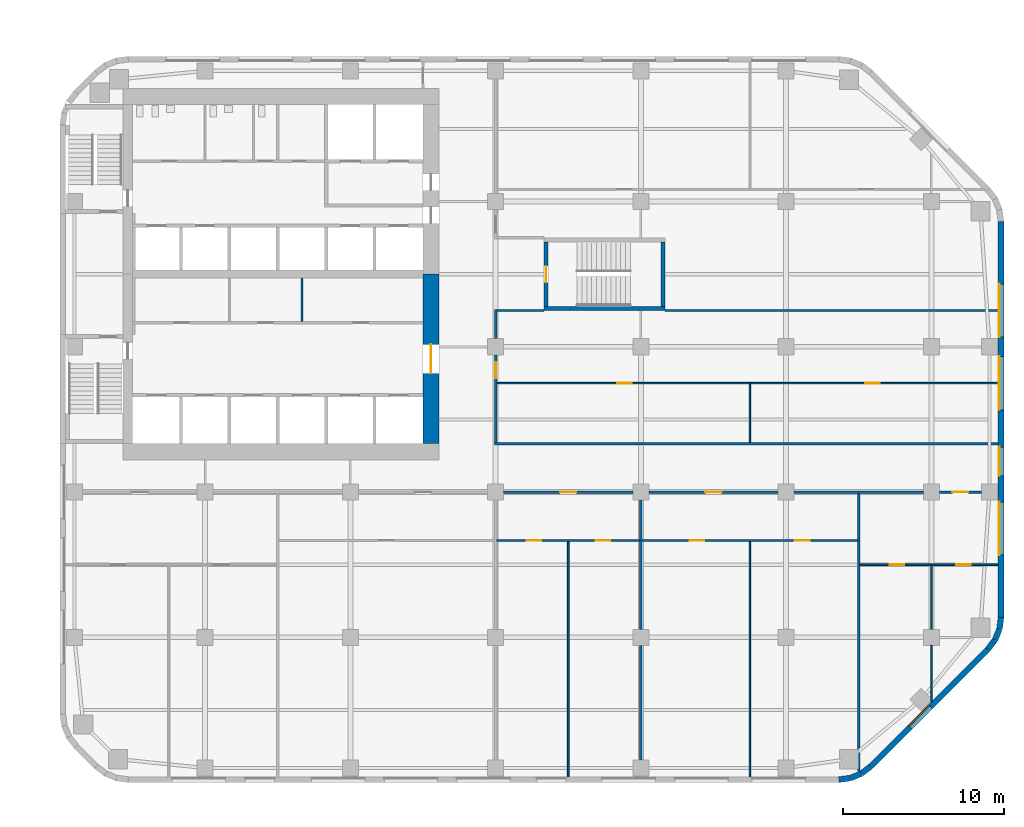
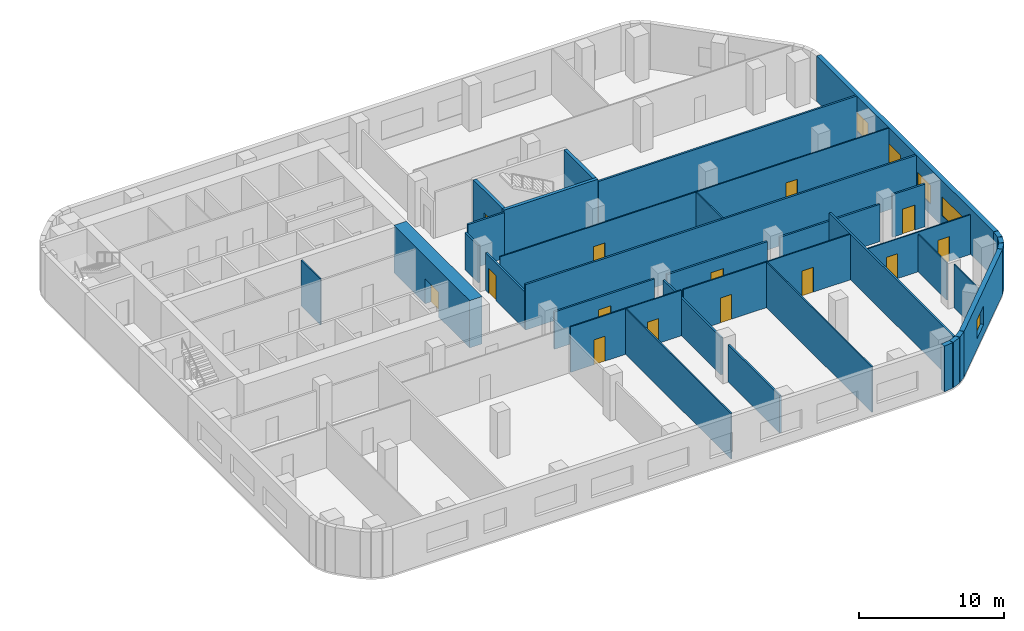
# One storey, part 10 of 16: 34 walls, 14 doors, 5 windows, 19 openings.
"""IFC4 building model written with IfcOpenShell, lengths in metres."""

from ifc_helpers import new_model, si_unit, direction, frame, frame_2d, origin, place, context, subcontext, project, spatial, rectangle, extrude, material, layer, layer_set, type_object, element, fill, save


model = new_model("IFC4")

# Units and contexts
model_context = context("Model", 3, precision=1e-05, world=origin(), true_north=direction((0.0, 1.0)))
body_context = subcontext(model_context, "Body", "Model", "MODEL_VIEW")
ifc_project = project(units=[si_unit("LENGTHUNIT", "METRE"), si_unit("AREAUNIT", "SQUARE_METRE"), si_unit("VOLUMEUNIT", "CUBIC_METRE"), si_unit("PLANEANGLEUNIT", "RADIAN"), si_unit("MASSUNIT", "GRAM", prefix="KILO")], contexts=[model_context])

# Site, building, storey
site_placement = place(None, origin())
site = spatial("IfcSite", under=ifc_project, at=site_placement, CompositionType="ELEMENT")
building_placement = place(site_placement, origin())
building = spatial("IfcBuilding", under=site, at=building_placement, Name="Cinnabar Reach Civic Tower", CompositionType="ELEMENT")
storey_placement = place(building_placement, frame((0.0, 0.0, 55.0)))
storey = spatial("IfcBuildingStorey", under=building, at=storey_placement, Name="L12", CompositionType="ELEMENT", Elevation=55.0)

# Walls
ifc_material_1 = material(Name="Facing brick with insulated backing", Category="masonry")
ifc_layer_1 = layer(ifc_material_1, 0.36)
ifc_layer_set_1 = layer_set([ifc_layer_1], Name="Brick corner wall")
wall_type_1 = type_object("IfcWallType", Name="Brick corner wall", PredefinedType="STANDARD", material=ifc_layer_set_1)
for number, where, z_axis, x_axis, name in (
    (1, (48.2686, 0.183, 0.0), (0.0, 0.0, 1.0), (0.99144092581, 0.13055608231, 0.0), "Brick corner wall"),
    (2, (48.9973, 0.2819, 0.0), (0.0, 0.0, 1.0), (0.923871547278, 0.382702709855, 0.0), "Brick corner wall"),
):
    element("IfcWall", number, at=place(storey_placement, frame(where, z_axis=z_axis, x_axis=x_axis)), inside=storey, type_object=wall_type_1, Name=name, PredefinedType="STANDARD", context=body_context, shape_type="SweptSolid", body=[
        extrude(rectangle(XDim=0.7131, YDim=0.36, at=frame_2d((0.3565, 0.0))), origin(), (0.0, 0.0, 1.0), 3.85),
    ])
for number, where, z_axis, x_axis, name in (
    (3, (49.6755, 0.566, 0.0), (0.0, 0.0, 1.0), (0.793321924995, 0.608802368033, 0.0), "Brick corner wall"),
    (4, (57.4998, 8.2587, 0.0), (0.0, 0.0, 1.0), (0.608802368033, 0.793321924995, 0.0), "Brick corner wall"),
):
    element("IfcWall", number, at=place(storey_placement, frame(where, z_axis=z_axis, x_axis=x_axis)), inside=storey, type_object=wall_type_1, Name=name, PredefinedType="STANDARD", context=body_context, shape_type="SweptSolid", body=[
        extrude(rectangle(XDim=0.7132, YDim=0.36, at=frame_2d((0.3566, 0.0))), origin(), (0.0, 0.0, 1.0), 3.85),
    ])
for number, where, z_axis, x_axis, name in (
    (5, (57.9452, 8.8439, 0.0), (0.0, 0.0, 1.0), (0.382702709855, 0.923871547278, 0.0), "Brick corner wall"),
    (6, (58.2239, 9.5244, 0.0), (0.0, 0.0, 1.0), (0.13055608231, 0.99144092581, 0.0), "Brick corner wall"),
):
    element("IfcWall", number, at=place(storey_placement, frame(where, z_axis=z_axis, x_axis=x_axis)), inside=storey, type_object=wall_type_1, Name=name, PredefinedType="STANDARD", context=body_context, shape_type="SweptSolid", body=[
        extrude(rectangle(XDim=0.7131, YDim=0.36, at=frame_2d((0.3565, 0.0))), origin(), (0.0, 0.0, 1.0), 3.85),
    ])

# Wall, opening, window
ifc_layer_2 = layer(ifc_material_1, 0.36)
ifc_layer_set_2 = layer_set([ifc_layer_2], Name="Brick pier and spandrel wall")
wall_type_2 = type_object("IfcWallType", Name="Brick pier and spandrel wall", PredefinedType="STANDARD", material=ifc_layer_set_2)
wall_1_placement = place(storey_placement, frame((50.2514, 1.006, 0.0), z_axis=(0.0, 0.0, 1.0), x_axis=(0.707106781187, 0.707106781187, 0.0)))
wall_1 = element("IfcWall", 7, at=wall_1_placement, inside=storey, type_object=wall_type_2, Name="Brick facade wall", PredefinedType="STANDARD", context=body_context, shape_type="SweptSolid", body=[
    extrude(rectangle(XDim=10.2426, YDim=0.36, at=frame_2d((5.1213, 0.0))), origin(), (0.0, 0.0, 1.0), 3.85),
])
opening_1_placement = place(wall_1_placement, frame((3.4213, 0.0, 0.9)))
opening_1 = element("IfcOpeningElement", 8, at=opening_1_placement, cuts=wall_1, Name="Opening W1195", PredefinedType="OPENING", context=body_context, shape_type="SweptSolid", body=[
    extrude(rectangle(XDim=1.8, YDim=1.6, at=frame_2d((0.9, 0.8))), frame((0.0, 0.19, 0.0), z_axis=(0.0, -1.0, 0.0), x_axis=(1.0, 0.0, 0.0)), (0.0, 0.0, 1.0), 0.38),
])
ifc_material_2 = material(Name="Clear double glazing in aluminium frame", Category="aluminium")
window_type_1 = type_object("IfcWindowType", Name="Deep-set window D", PartitioningType="SINGLE_PANEL", PredefinedType="WINDOW", material=ifc_material_2)
window_1_placement = place(opening_1_placement, origin())
window_1 = element("IfcWindow", 9, at=window_1_placement, inside=storey, type_object=window_type_1, Name="Window southeast face", OverallHeight=1.6, OverallWidth=1.8, PartitioningType="SINGLE_PANEL", PredefinedType="WINDOW", context=body_context, shape_type="SweptSolid", body=[
    extrude(rectangle(XDim=1.8, YDim=1.6, at=frame_2d((0.9, 0.8))), frame((0.0, 0.13, 0.0), z_axis=(0.0, -1.0, 0.0), x_axis=(1.0, 0.0, 0.0)), (0.0, 0.0, 1.0), 0.06),
])
fill(opening_1, window_1)

# Wall, openings, windows
wall_2_placement = place(storey_placement, frame((58.32, 10.2426, 0.0), z_axis=(0.0, 0.0, 1.0), x_axis=(0.0, 1.0, 0.0)))
wall_2 = element("IfcWall", 10, at=wall_2_placement, inside=storey, type_object=wall_type_2, Name="Brick facade wall", PredefinedType="STANDARD", context=body_context, shape_type="SweptSolid", body=[
    extrude(rectangle(XDim=24.5148, YDim=0.36, at=frame_2d((12.2574, 0.0))), origin(), (0.0, 0.0, 1.0), 3.85),
])
opening_2_placement = place(wall_2_placement, frame((3.8574, 0.0, 0.9)))
opening_2 = element("IfcOpeningElement", 11, at=opening_2_placement, cuts=wall_2, Name="Opening W1196", PredefinedType="OPENING", context=body_context, shape_type="SweptSolid", body=[
    extrude(rectangle(XDim=3.3, YDim=1.6, at=frame_2d((1.65, 0.8))), frame((0.0, 0.19, 0.0), z_axis=(0.0, -1.0, 0.0), x_axis=(1.0, 0.0, 0.0)), (0.0, 0.0, 1.0), 0.38),
])
opening_3_placement = place(wall_2_placement, frame((8.7574, 0.0, 0.9)))
opening_3 = element("IfcOpeningElement", 12, at=opening_3_placement, cuts=wall_2, Name="Opening W1197", PredefinedType="OPENING", context=body_context, shape_type="SweptSolid", body=[
    extrude(rectangle(XDim=1.8, YDim=1.6, at=frame_2d((0.9, 0.8))), frame((0.0, 0.19, 0.0), z_axis=(0.0, -1.0, 0.0), x_axis=(1.0, 0.0, 0.0)), (0.0, 0.0, 1.0), 0.38),
])
opening_4_placement = place(wall_2_placement, frame((12.8574, 0.0, 0.9)))
opening_4 = element("IfcOpeningElement", 13, at=opening_4_placement, cuts=wall_2, Name="Opening W1198", PredefinedType="OPENING", context=body_context, shape_type="SweptSolid", body=[
    extrude(rectangle(XDim=3.3, YDim=1.6, at=frame_2d((1.65, 0.8))), frame((0.0, 0.19, 0.0), z_axis=(0.0, -1.0, 0.0), x_axis=(1.0, 0.0, 0.0)), (0.0, 0.0, 1.0), 0.38),
])
opening_5_placement = place(wall_2_placement, frame((17.3574, 0.0, 0.9)))
opening_5 = element("IfcOpeningElement", 14, at=opening_5_placement, cuts=wall_2, Name="Opening W1199", PredefinedType="OPENING", context=body_context, shape_type="SweptSolid", body=[
    extrude(rectangle(XDim=3.3, YDim=1.6, at=frame_2d((1.65, 0.8))), frame((0.0, 0.19, 0.0), z_axis=(0.0, -1.0, 0.0), x_axis=(1.0, 0.0, 0.0)), (0.0, 0.0, 1.0), 0.38),
])
window_type_2 = type_object("IfcWindowType", Name="Deep-set window A", PartitioningType="SINGLE_PANEL", PredefinedType="WINDOW", material=ifc_material_2)
window_2_placement = place(opening_2_placement, origin())
window_2 = element("IfcWindow", 15, at=window_2_placement, inside=storey, type_object=window_type_2, Name="Window east face", OverallHeight=1.6, OverallWidth=3.3, PartitioningType="SINGLE_PANEL", PredefinedType="WINDOW", context=body_context, shape_type="SweptSolid", body=[
    extrude(rectangle(XDim=3.3, YDim=1.6, at=frame_2d((1.65, 0.8))), frame((0.0, 0.13, 0.0), z_axis=(0.0, -1.0, 0.0), x_axis=(1.0, 0.0, 0.0)), (0.0, 0.0, 1.0), 0.06),
])
fill(opening_2, window_2)
window_3_placement = place(opening_4_placement, origin())
window_3 = element("IfcWindow", 16, at=window_3_placement, inside=storey, type_object=window_type_2, Name="Window east face", OverallHeight=1.6, OverallWidth=3.3, PartitioningType="SINGLE_PANEL", PredefinedType="WINDOW", context=body_context, shape_type="SweptSolid", body=[
    extrude(rectangle(XDim=3.3, YDim=1.6, at=frame_2d((1.65, 0.8))), frame((0.0, 0.13, 0.0), z_axis=(0.0, -1.0, 0.0), x_axis=(1.0, 0.0, 0.0)), (0.0, 0.0, 1.0), 0.06),
])
fill(opening_4, window_3)
window_4_placement = place(opening_5_placement, origin())
window_4 = element("IfcWindow", 17, at=window_4_placement, inside=storey, type_object=window_type_2, Name="Window east face", OverallHeight=1.6, OverallWidth=3.3, PartitioningType="SINGLE_PANEL", PredefinedType="WINDOW", context=body_context, shape_type="SweptSolid", body=[
    extrude(rectangle(XDim=3.3, YDim=1.6, at=frame_2d((1.65, 0.8))), frame((0.0, 0.13, 0.0), z_axis=(0.0, -1.0, 0.0), x_axis=(1.0, 0.0, 0.0)), (0.0, 0.0, 1.0), 0.06),
])
fill(opening_5, window_4)
window_5_placement = place(opening_3_placement, origin())
window_5 = element("IfcWindow", 18, at=window_5_placement, inside=storey, type_object=window_type_1, Name="Window east face", OverallHeight=1.6, OverallWidth=1.8, PartitioningType="SINGLE_PANEL", PredefinedType="WINDOW", context=body_context, shape_type="SweptSolid", body=[
    extrude(rectangle(XDim=1.8, YDim=1.6, at=frame_2d((0.9, 0.8))), frame((0.0, 0.13, 0.0), z_axis=(0.0, -1.0, 0.0), x_axis=(1.0, 0.0, 0.0)), (0.0, 0.0, 1.0), 0.06),
])
fill(opening_3, window_5)

# Wall, opening, door
ifc_material_3 = material(Name="Concrete C70", Category="concrete")
ifc_layer_3 = layer(ifc_material_3, 1.0)
ifc_layer_set_3 = layer_set([ifc_layer_3], Name="Core wall 1000 EI 180")
wall_type_3 = type_object("IfcWallType", Name="Core wall 1000 EI 180", PredefinedType="SOLIDWALL", material=ifc_layer_set_3)
wall_3_placement = place(storey_placement, frame((23.0, 21.0, 0.0), z_axis=(0.0, 0.0, 1.0), x_axis=(0.0, 1.0, 0.0)))
wall_3 = element("IfcWall", 19, at=wall_3_placement, inside=storey, type_object=wall_type_3, Name="Core wall T1 L12 E", PredefinedType="SOLIDWALL", context=body_context, shape_type="SweptSolid", body=[
    extrude(rectangle(XDim=10.5, YDim=1.0, at=frame_2d((5.25, 0.0))), origin(), (0.0, 0.0, 1.0), 4.0),
])
opening_6_placement = place(wall_3_placement, frame((4.35, 0.0, 0.0)))
opening_6 = element("IfcOpeningElement", 20, at=opening_6_placement, cuts=wall_3, Name="Opening D3485", PredefinedType="OPENING", context=body_context, shape_type="SweptSolid", body=[
    extrude(rectangle(XDim=1.8, YDim=2.1, at=frame_2d((0.9, 1.05))), frame((0.0, 0.51, 0.0), z_axis=(0.0, -1.0, 0.0), x_axis=(1.0, 0.0, 0.0)), (0.0, 0.0, 1.0), 1.02),
])
ifc_material_4 = material(Name="Timber door leaf in steel frame", Category="steel")
door_type_1 = type_object("IfcDoorType", Name="Double swing door 1800 x 2100 T1", OperationType="DOUBLE_DOOR_DOUBLE_SWING", PredefinedType="DOOR", material=ifc_material_4)
door_1_placement = place(opening_6_placement, origin())
door_1 = element("IfcDoor", 21, at=door_1_placement, inside=storey, type_object=door_type_1, Name="Door D3485", OperationType="DOUBLE_DOOR_DOUBLE_SWING", OverallHeight=2.1, OverallWidth=1.8, PredefinedType="DOOR", context=body_context, shape_type="SweptSolid", body=[
    extrude(rectangle(XDim=1.8, YDim=2.1, at=frame_2d((0.9, 1.05))), frame((0.0, 0.025, 0.0), z_axis=(0.0, -1.0, 0.0), x_axis=(1.0, 0.0, 0.0)), (0.0, 0.0, 1.0), 0.05),
])
fill(opening_6, door_1)

ifc_material_5 = material(Name="Gypsum board on steel studs, double layer", Category="steel")
ifc_layer_4 = layer(ifc_material_5, 0.15)
ifc_layer_set_4 = layer_set([ifc_layer_4], Name="Corridor wall 150 T1")
wall_type_4 = type_object("IfcWallType", Name="Corridor wall 150 T1", PredefinedType="PARTITIONING", material=ifc_layer_set_4)
wall_4_placement = place(storey_placement, frame((54.5, 18.0, 0.0), z_axis=(0.0, 0.0, 1.0), x_axis=(1.0, 0.0, 0.0)))
wall_4 = element("IfcWall", 22, at=wall_4_placement, inside=storey, type_object=wall_type_4, Name="Corridor wall 19", PredefinedType="PARTITIONING", context=body_context, shape_type="SweptSolid", body=[
    extrude(rectangle(XDim=2.6, YDim=0.15, at=frame_2d((1.3, 0.0))), origin(), (0.0, 0.0, 1.0), 3.602),
])
opening_7_placement = place(wall_4_placement, frame((0.8, 0.0, 0.0)))
opening_7 = element("IfcOpeningElement", 23, at=opening_7_placement, cuts=wall_4, Name="Opening D3513", PredefinedType="OPENING", context=body_context, shape_type="SweptSolid", body=[
    extrude(rectangle(XDim=1.0, YDim=2.1, at=frame_2d((0.5, 1.05))), frame((0.0, 0.085, 0.0), z_axis=(0.0, -1.0, 0.0), x_axis=(1.0, 0.0, 0.0)), (0.0, 0.0, 1.0), 0.17),
])
door_type_2 = type_object("IfcDoorType", Name="Tenancy entrance door 1000 x 2100 T1", OperationType="SINGLE_SWING_LEFT", PredefinedType="DOOR", material=ifc_material_4)
door_2_placement = place(opening_7_placement, frame((1.0, 0.0, 0.0), z_axis=(0.0, 0.0, 1.0), x_axis=(-1.0, 0.0, 0.0)))
door_2 = element("IfcDoor", 24, at=door_2_placement, inside=storey, type_object=door_type_2, Name="Door D3513", OperationType="SINGLE_SWING_RIGHT", OverallHeight=2.1, OverallWidth=1.0, PredefinedType="DOOR", context=body_context, shape_type="SweptSolid", body=[
    extrude(rectangle(XDim=1.0, YDim=2.1, at=frame_2d((0.5, 1.05))), frame((0.0, 0.025, 0.0), z_axis=(0.0, -1.0, 0.0), x_axis=(1.0, 0.0, 0.0)), (0.0, 0.0, 1.0), 0.05),
])
fill(opening_7, door_2)

# Wall
wall_5_placement = place(storey_placement, frame((45.5, 18.0, 0.0), z_axis=(0.0, 0.0, 1.0), x_axis=(1.0, 0.0, 0.0)))
element("IfcWall", 25, at=wall_5_placement, inside=storey, type_object=wall_type_4, Name="Corridor wall 20", PredefinedType="PARTITIONING", context=body_context, shape_type="SweptSolid", body=[
    extrude(rectangle(XDim=8.0, YDim=0.15, at=frame_2d((4.0, 0.0))), origin(), (0.0, 0.0, 1.0), 3.15),
])

# Wall, opening, door
wall_6_placement = place(storey_placement, frame((36.5, 18.0, 0.0), z_axis=(0.0, 0.0, 1.0), x_axis=(1.0, 0.0, 0.0)))
wall_6 = element("IfcWall", 26, at=wall_6_placement, inside=storey, type_object=wall_type_4, Name="Corridor wall 21", PredefinedType="PARTITIONING", context=body_context, shape_type="SweptSolid", body=[
    extrude(rectangle(XDim=8.0, YDim=0.15, at=frame_2d((4.0, 0.0))), origin(), (0.0, 0.0, 1.0), 3.15),
])
opening_8_placement = place(wall_6_placement, frame((3.5, 0.0, 0.0)))
opening_8 = element("IfcOpeningElement", 27, at=opening_8_placement, cuts=wall_6, Name="Opening D3510", PredefinedType="OPENING", context=body_context, shape_type="SweptSolid", body=[
    extrude(rectangle(XDim=1.0, YDim=2.1, at=frame_2d((0.5, 1.05))), frame((0.0, 0.085, 0.0), z_axis=(0.0, -1.0, 0.0), x_axis=(1.0, 0.0, 0.0)), (0.0, 0.0, 1.0), 0.17),
])
door_3_placement = place(opening_8_placement, frame((1.0, 0.0, 0.0), z_axis=(0.0, 0.0, 1.0), x_axis=(-1.0, 0.0, 0.0)))
door_3 = element("IfcDoor", 28, at=door_3_placement, inside=storey, type_object=door_type_2, Name="Door D3510", OperationType="SINGLE_SWING_RIGHT", OverallHeight=2.1, OverallWidth=1.0, PredefinedType="DOOR", context=body_context, shape_type="SweptSolid", body=[
    extrude(rectangle(XDim=1.0, YDim=2.1, at=frame_2d((0.5, 1.05))), frame((0.0, 0.025, 0.0), z_axis=(0.0, -1.0, 0.0), x_axis=(1.0, 0.0, 0.0)), (0.0, 0.0, 1.0), 0.05),
])
fill(opening_8, door_3)

wall_7_placement = place(storey_placement, frame((27.5, 18.0, 0.0), z_axis=(0.0, 0.0, 1.0), x_axis=(1.0, 0.0, 0.0)))
wall_7 = element("IfcWall", 29, at=wall_7_placement, inside=storey, type_object=wall_type_4, Name="Corridor wall 22", PredefinedType="PARTITIONING", context=body_context, shape_type="SweptSolid", body=[
    extrude(rectangle(XDim=8.0, YDim=0.15, at=frame_2d((4.0, 0.0))), origin(), (0.0, 0.0, 1.0), 3.15),
])
opening_9_placement = place(wall_7_placement, frame((3.5, 0.0, 0.0)))
opening_9 = element("IfcOpeningElement", 30, at=opening_9_placement, cuts=wall_7, Name="Opening D3507", PredefinedType="OPENING", context=body_context, shape_type="SweptSolid", body=[
    extrude(rectangle(XDim=1.0, YDim=2.1, at=frame_2d((0.5, 1.05))), frame((0.0, 0.085, 0.0), z_axis=(0.0, -1.0, 0.0), x_axis=(1.0, 0.0, 0.0)), (0.0, 0.0, 1.0), 0.17),
])
door_4_placement = place(opening_9_placement, frame((1.0, 0.0, 0.0), z_axis=(0.0, 0.0, 1.0), x_axis=(-1.0, 0.0, 0.0)))
door_4 = element("IfcDoor", 31, at=door_4_placement, inside=storey, type_object=door_type_2, Name="Door D3507", OperationType="SINGLE_SWING_LEFT", OverallHeight=2.1, OverallWidth=1.0, PredefinedType="DOOR", context=body_context, shape_type="SweptSolid", body=[
    extrude(rectangle(XDim=1.0, YDim=2.1, at=frame_2d((0.5, 1.05))), frame((0.0, 0.025, 0.0), z_axis=(0.0, -1.0, 0.0), x_axis=(1.0, 0.0, 0.0)), (0.0, 0.0, 1.0), 0.05),
])
fill(opening_9, door_4)

# Wall
wall_8_placement = place(storey_placement, frame((26.925, 21.0, 0.0), z_axis=(0.0, 0.0, 1.0), x_axis=(1.0, 0.0, 0.0)))
element("IfcWall", 32, at=wall_8_placement, inside=storey, type_object=wall_type_4, Name="Corridor wall 26", PredefinedType="PARTITIONING", context=body_context, shape_type="SweptSolid", body=[
    extrude(rectangle(XDim=31.215, YDim=0.15, at=frame_2d((15.6075, 0.0))), origin(), (0.0, 0.0, 1.0), 3.85),
])

# Wall, opening, door
wall_9_placement = place(storey_placement, frame((27.0, 21.075, 0.0), z_axis=(0.0, 0.0, 1.0), x_axis=(0.0, 1.0, 0.0)))
wall_9 = element("IfcWall", 33, at=wall_9_placement, inside=storey, type_object=wall_type_4, Name="Corridor wall 31", PredefinedType="PARTITIONING", context=body_context, shape_type="SweptSolid", body=[
    extrude(rectangle(XDim=5.425, YDim=0.15, at=frame_2d((2.7125, 0.0))), origin(), (0.0, 0.0, 1.0), 3.158),
])
opening_10_placement = place(wall_9_placement, frame((3.975, 0.0, 0.0)))
opening_10 = element("IfcOpeningElement", 34, at=opening_10_placement, cuts=wall_9, Name="Opening D3499", PredefinedType="OPENING", context=body_context, shape_type="SweptSolid", body=[
    extrude(rectangle(XDim=1.0, YDim=2.1, at=frame_2d((0.5, 1.05))), frame((0.0, 0.085, 0.0), z_axis=(0.0, -1.0, 0.0), x_axis=(1.0, 0.0, 0.0)), (0.0, 0.0, 1.0), 0.17),
])
door_5_placement = place(opening_10_placement, frame((1.0, 0.0, 0.0), z_axis=(0.0, 0.0, 1.0), x_axis=(-1.0, 0.0, 0.0)))
door_5 = element("IfcDoor", 35, at=door_5_placement, inside=storey, type_object=door_type_2, Name="Door D3499", OperationType="SINGLE_SWING_RIGHT", OverallHeight=2.1, OverallWidth=1.0, PredefinedType="DOOR", context=body_context, shape_type="SweptSolid", body=[
    extrude(rectangle(XDim=1.0, YDim=2.1, at=frame_2d((0.5, 1.05))), frame((0.0, 0.025, 0.0), z_axis=(0.0, -1.0, 0.0), x_axis=(1.0, 0.0, 0.0)), (0.0, 0.0, 1.0), 0.05),
])
fill(opening_10, door_5)

# Walls
wall_10_placement = place(storey_placement, frame((27.0, 27.5, 0.0), z_axis=(0.0, 0.0, 1.0), x_axis=(0.0, 1.0, 0.0)))
element("IfcWall", 36, at=wall_10_placement, inside=storey, type_object=wall_type_4, Name="Corridor wall 32", PredefinedType="PARTITIONING", context=body_context, shape_type="SweptSolid", body=[
    extrude(rectangle(XDim=1.825, YDim=0.15, at=frame_2d((0.9125, 0.0))), origin(), (0.0, 0.0, 1.0), 3.158),
])
wall_11_placement = place(storey_placement, frame((27.075, 29.25, 0.0), z_axis=(0.0, 0.0, 1.0), x_axis=(1.0, 0.0, 0.0)))
element("IfcWall", 37, at=wall_11_placement, inside=storey, type_object=wall_type_4, Name="Corridor wall 35", PredefinedType="PARTITIONING", context=body_context, shape_type="SweptSolid", body=[
    extrude(rectangle(XDim=2.925, YDim=0.15, at=frame_2d((1.4625, 0.0))), origin(), (0.0, 0.0, 1.0), 3.85),
])

# Wall, openings, doors
ifc_material_6 = material(Name="Gypsum board on steel studs", Category="steel")
ifc_layer_5 = layer(ifc_material_6, 0.1)
ifc_layer_set_5 = layer_set([ifc_layer_5], Name="Partition wall 100 T1")
wall_type_5 = type_object("IfcWallType", Name="Partition wall 100 T1", PredefinedType="PARTITIONING", material=ifc_layer_set_5)
wall_12_placement = place(storey_placement, frame((27.075, 15.0, 0.0), z_axis=(0.0, 0.0, 1.0), x_axis=(1.0, 0.0, 0.0)))
wall_12 = element("IfcWall", 38, at=wall_12_placement, inside=storey, type_object=wall_type_5, Name="Partition wall 48", PredefinedType="PARTITIONING", context=body_context, shape_type="SweptSolid", body=[
    extrude(rectangle(XDim=8.85, YDim=0.1, at=frame_2d((4.425, 0.0))), origin(), (0.0, 0.0, 1.0), 3.85),
])
opening_11_placement = place(wall_12_placement, frame((1.85, 0.0, 0.0)))
opening_11 = element("IfcOpeningElement", 39, at=opening_11_placement, cuts=wall_12, Name="Opening D3508", PredefinedType="OPENING", context=body_context, shape_type="SweptSolid", body=[
    extrude(rectangle(XDim=0.9, YDim=2.1, at=frame_2d((0.45, 1.05))), frame((0.0, 0.06, 0.0), z_axis=(0.0, -1.0, 0.0), x_axis=(1.0, 0.0, 0.0)), (0.0, 0.0, 1.0), 0.12),
])
opening_12_placement = place(wall_12_placement, frame((6.125, 0.0, 0.0)))
opening_12 = element("IfcOpeningElement", 40, at=opening_12_placement, cuts=wall_12, Name="Opening D3509", PredefinedType="OPENING", context=body_context, shape_type="SweptSolid", body=[
    extrude(rectangle(XDim=0.9, YDim=2.1, at=frame_2d((0.45, 1.05))), frame((0.0, 0.06, 0.0), z_axis=(0.0, -1.0, 0.0), x_axis=(1.0, 0.0, 0.0)), (0.0, 0.0, 1.0), 0.12),
])
door_type_3 = type_object("IfcDoorType", Name="Single swing door 900 x 2100 T1", OperationType="SINGLE_SWING_LEFT", PredefinedType="DOOR", material=ifc_material_4)
door_6_placement = place(opening_11_placement, origin())
door_6 = element("IfcDoor", 41, at=door_6_placement, inside=storey, type_object=door_type_3, Name="Door D3508", OperationType="SINGLE_SWING_LEFT", OverallHeight=2.1, OverallWidth=0.9, PredefinedType="DOOR", context=body_context, shape_type="SweptSolid", body=[
    extrude(rectangle(XDim=0.9, YDim=2.1, at=frame_2d((0.45, 1.05))), frame((0.0, 0.025, 0.0), z_axis=(0.0, -1.0, 0.0), x_axis=(1.0, 0.0, 0.0)), (0.0, 0.0, 1.0), 0.05),
])
fill(opening_11, door_6)
door_7_placement = place(opening_12_placement, origin())
door_7 = element("IfcDoor", 42, at=door_7_placement, inside=storey, type_object=door_type_3, Name="Door D3509", OperationType="SINGLE_SWING_LEFT", OverallHeight=2.1, OverallWidth=0.9, PredefinedType="DOOR", context=body_context, shape_type="SweptSolid", body=[
    extrude(rectangle(XDim=0.9, YDim=2.1, at=frame_2d((0.45, 1.05))), frame((0.0, 0.025, 0.0), z_axis=(0.0, -1.0, 0.0), x_axis=(1.0, 0.0, 0.0)), (0.0, 0.0, 1.0), 0.05),
])
fill(opening_12, door_7)

wall_13_placement = place(storey_placement, frame((36.075, 15.0, 0.0), z_axis=(0.0, 0.0, 1.0), x_axis=(1.0, 0.0, 0.0)))
wall_13 = element("IfcWall", 43, at=wall_13_placement, inside=storey, type_object=wall_type_5, Name="Partition wall 49", PredefinedType="PARTITIONING", context=body_context, shape_type="SweptSolid", body=[
    extrude(rectangle(XDim=13.35, YDim=0.1, at=frame_2d((6.675, 0.0))), origin(), (0.0, 0.0, 1.0), 3.85),
])
opening_13_placement = place(wall_13_placement, frame((2.95, 0.0, 0.0)))
opening_13 = element("IfcOpeningElement", 44, at=opening_13_placement, cuts=wall_13, Name="Opening D3511", PredefinedType="OPENING", context=body_context, shape_type="SweptSolid", body=[
    extrude(rectangle(XDim=0.9, YDim=2.1, at=frame_2d((0.45, 1.05))), frame((0.0, 0.06, 0.0), z_axis=(0.0, -1.0, 0.0), x_axis=(1.0, 0.0, 0.0)), (0.0, 0.0, 1.0), 0.12),
])
opening_14_placement = place(wall_13_placement, frame((9.475, 0.0, 0.0)))
opening_14 = element("IfcOpeningElement", 45, at=opening_14_placement, cuts=wall_13, Name="Opening D3512", PredefinedType="OPENING", context=body_context, shape_type="SweptSolid", body=[
    extrude(rectangle(XDim=0.9, YDim=2.1, at=frame_2d((0.45, 1.05))), frame((0.0, 0.06, 0.0), z_axis=(0.0, -1.0, 0.0), x_axis=(1.0, 0.0, 0.0)), (0.0, 0.0, 1.0), 0.12),
])
door_8_placement = place(opening_13_placement, origin())
door_8 = element("IfcDoor", 46, at=door_8_placement, inside=storey, type_object=door_type_3, Name="Door D3511", OperationType="SINGLE_SWING_LEFT", OverallHeight=2.1, OverallWidth=0.9, PredefinedType="DOOR", context=body_context, shape_type="SweptSolid", body=[
    extrude(rectangle(XDim=0.9, YDim=2.1, at=frame_2d((0.45, 1.05))), frame((0.0, 0.025, 0.0), z_axis=(0.0, -1.0, 0.0), x_axis=(1.0, 0.0, 0.0)), (0.0, 0.0, 1.0), 0.05),
])
fill(opening_13, door_8)
door_9_placement = place(opening_14_placement, origin())
door_9 = element("IfcDoor", 47, at=door_9_placement, inside=storey, type_object=door_type_3, Name="Door D3512", OperationType="SINGLE_SWING_RIGHT", OverallHeight=2.1, OverallWidth=0.9, PredefinedType="DOOR", context=body_context, shape_type="SweptSolid", body=[
    extrude(rectangle(XDim=0.9, YDim=2.1, at=frame_2d((0.45, 1.05))), frame((0.0, 0.025, 0.0), z_axis=(0.0, -1.0, 0.0), x_axis=(1.0, 0.0, 0.0)), (0.0, 0.0, 1.0), 0.05),
])
fill(opening_14, door_9)

wall_14_placement = place(storey_placement, frame((27.075, 24.75, 0.0), z_axis=(0.0, 0.0, 1.0), x_axis=(1.0, 0.0, 0.0)))
wall_14 = element("IfcWall", 48, at=wall_14_placement, inside=storey, type_object=wall_type_5, Name="Partition wall 50", PredefinedType="PARTITIONING", context=body_context, shape_type="SweptSolid", body=[
    extrude(rectangle(XDim=31.065, YDim=0.1, at=frame_2d((15.5325, 0.0))), origin(), (0.0, 0.0, 1.0), 3.85),
])
opening_15_placement = place(wall_14_placement, frame((7.45, 0.0, 0.0)))
opening_15 = element("IfcOpeningElement", 49, at=opening_15_placement, cuts=wall_14, Name="Opening D3500", PredefinedType="OPENING", context=body_context, shape_type="SweptSolid", body=[
    extrude(rectangle(XDim=0.9, YDim=2.1, at=frame_2d((0.45, 1.05))), frame((0.0, 0.06, 0.0), z_axis=(0.0, -1.0, 0.0), x_axis=(1.0, 0.0, 0.0)), (0.0, 0.0, 1.0), 0.12),
])
opening_16_placement = place(wall_14_placement, frame((22.825, 0.0, 0.0)))
opening_16 = element("IfcOpeningElement", 50, at=opening_16_placement, cuts=wall_14, Name="Opening D3501", PredefinedType="OPENING", context=body_context, shape_type="SweptSolid", body=[
    extrude(rectangle(XDim=0.9, YDim=2.1, at=frame_2d((0.45, 1.05))), frame((0.0, 0.06, 0.0), z_axis=(0.0, -1.0, 0.0), x_axis=(1.0, 0.0, 0.0)), (0.0, 0.0, 1.0), 0.12),
])
door_10_placement = place(opening_15_placement, frame((0.9, 0.0, 0.0), z_axis=(0.0, 0.0, 1.0), x_axis=(-1.0, 0.0, 0.0)))
door_10 = element("IfcDoor", 51, at=door_10_placement, inside=storey, type_object=door_type_3, Name="Door D3500", OperationType="SINGLE_SWING_LEFT", OverallHeight=2.1, OverallWidth=0.9, PredefinedType="DOOR", context=body_context, shape_type="SweptSolid", body=[
    extrude(rectangle(XDim=0.9, YDim=2.1, at=frame_2d((0.45, 1.05))), frame((0.0, 0.025, 0.0), z_axis=(0.0, -1.0, 0.0), x_axis=(1.0, 0.0, 0.0)), (0.0, 0.0, 1.0), 0.05),
])
fill(opening_15, door_10)
door_11_placement = place(opening_16_placement, frame((0.9, 0.0, 0.0), z_axis=(0.0, 0.0, 1.0), x_axis=(-1.0, 0.0, 0.0)))
door_11 = element("IfcDoor", 52, at=door_11_placement, inside=storey, type_object=door_type_3, Name="Door D3501", OperationType="SINGLE_SWING_LEFT", OverallHeight=2.1, OverallWidth=0.9, PredefinedType="DOOR", context=body_context, shape_type="SweptSolid", body=[
    extrude(rectangle(XDim=0.9, YDim=2.1, at=frame_2d((0.45, 1.05))), frame((0.0, 0.025, 0.0), z_axis=(0.0, -1.0, 0.0), x_axis=(1.0, 0.0, 0.0)), (0.0, 0.0, 1.0), 0.05),
])
fill(opening_16, door_11)

# Walls
for number, where, z_axis, x_axis, name in (
    (53, (31.5, 0.36, 0.0), (0.0, 0.0, 1.0), (0.0, 1.0, 0.0), "Partition wall 52"),
    (54, (42.75, 0.36, 0.0), (0.0, 0.0, 1.0), (0.0, 1.0, 0.0), "Partition wall 53"),
):
    element("IfcWall", number, at=place(storey_placement, frame(where, z_axis=z_axis, x_axis=x_axis)), inside=storey, type_object=wall_type_5, Name=name, PredefinedType="PARTITIONING", context=body_context, shape_type="SweptSolid", body=[
        extrude(rectangle(XDim=14.59, YDim=0.1, at=frame_2d((7.295, 0.0))), origin(), (0.0, 0.0, 1.0), 3.85),
    ])

# Wall, openings, doors
wall_15_placement = place(storey_placement, frame((49.575, 13.5, 0.0), z_axis=(0.0, 0.0, 1.0), x_axis=(1.0, 0.0, 0.0)))
wall_15 = element("IfcWall", 55, at=wall_15_placement, inside=storey, type_object=wall_type_5, Name="Partition wall 56", PredefinedType="PARTITIONING", context=body_context, shape_type="SweptSolid", body=[
    extrude(rectangle(XDim=8.565, YDim=0.1, at=frame_2d((4.2825, 0.0))), origin(), (0.0, 0.0, 1.0), 3.35),
])
opening_17_placement = place(wall_15_placement, frame((1.85, 0.0, 0.0)))
opening_17 = element("IfcOpeningElement", 56, at=opening_17_placement, cuts=wall_15, Name="Opening D3514", PredefinedType="OPENING", context=body_context, shape_type="SweptSolid", body=[
    extrude(rectangle(XDim=0.9, YDim=2.1, at=frame_2d((0.45, 1.05))), frame((0.0, 0.06, 0.0), z_axis=(0.0, -1.0, 0.0), x_axis=(1.0, 0.0, 0.0)), (0.0, 0.0, 1.0), 0.12),
])
opening_18_placement = place(wall_15_placement, frame((5.975, 0.0, 0.0)))
opening_18 = element("IfcOpeningElement", 57, at=opening_18_placement, cuts=wall_15, Name="Opening D3515", PredefinedType="OPENING", context=body_context, shape_type="SweptSolid", body=[
    extrude(rectangle(XDim=0.9, YDim=2.1, at=frame_2d((0.45, 1.05))), frame((0.0, 0.06, 0.0), z_axis=(0.0, -1.0, 0.0), x_axis=(1.0, 0.0, 0.0)), (0.0, 0.0, 1.0), 0.12),
])
door_12_placement = place(opening_17_placement, origin())
door_12 = element("IfcDoor", 58, at=door_12_placement, inside=storey, type_object=door_type_3, Name="Door D3514", OperationType="SINGLE_SWING_RIGHT", OverallHeight=2.1, OverallWidth=0.9, PredefinedType="DOOR", context=body_context, shape_type="SweptSolid", body=[
    extrude(rectangle(XDim=0.9, YDim=2.1, at=frame_2d((0.45, 1.05))), frame((0.0, 0.025, 0.0), z_axis=(0.0, -1.0, 0.0), x_axis=(1.0, 0.0, 0.0)), (0.0, 0.0, 1.0), 0.05),
])
fill(opening_17, door_12)
door_13_placement = place(opening_18_placement, frame((0.9, 0.0, 0.0), z_axis=(0.0, 0.0, 1.0), x_axis=(-1.0, 0.0, 0.0)))
door_13 = element("IfcDoor", 59, at=door_13_placement, inside=storey, type_object=door_type_3, Name="Door D3515", OperationType="SINGLE_SWING_RIGHT", OverallHeight=2.1, OverallWidth=0.9, PredefinedType="DOOR", context=body_context, shape_type="SweptSolid", body=[
    extrude(rectangle(XDim=0.9, YDim=2.1, at=frame_2d((0.45, 1.05))), frame((0.0, 0.025, 0.0), z_axis=(0.0, -1.0, 0.0), x_axis=(1.0, 0.0, 0.0)), (0.0, 0.0, 1.0), 0.05),
])
fill(opening_18, door_13)

# Walls
wall_16_placement = place(storey_placement, frame((54.0, 5.0091, 0.0), z_axis=(0.0, 0.0, 1.0), x_axis=(0.0, 1.0, 0.0)))
element("IfcWall", 60, at=wall_16_placement, inside=storey, type_object=wall_type_5, Name="Partition wall 57", PredefinedType="PARTITIONING", context=body_context, shape_type="SweptSolid", body=[
    extrude(rectangle(XDim=3.4909, YDim=0.1, at=frame_2d((1.7454, 0.0))), origin(), (0.0, 0.0, 1.0), 3.652),
])
wall_17_placement = place(storey_placement, frame((54.0, 9.5, 0.0), z_axis=(0.0, 0.0, 1.0), x_axis=(0.0, 1.0, 0.0)))
element("IfcWall", 61, at=wall_17_placement, inside=storey, type_object=wall_type_5, Name="Partition wall 58", PredefinedType="PARTITIONING", context=body_context, shape_type="SweptSolid", body=[
    extrude(rectangle(XDim=3.95, YDim=0.1, at=frame_2d((1.975, 0.0))), origin(), (0.0, 0.0, 1.0), 3.158),
])
wall_18_placement = place(storey_placement, frame((42.75, 21.075, 0.0), z_axis=(0.0, 0.0, 1.0), x_axis=(0.0, 1.0, 0.0)))
element("IfcWall", 62, at=wall_18_placement, inside=storey, type_object=wall_type_5, Name="Partition wall 60", PredefinedType="PARTITIONING", context=body_context, shape_type="SweptSolid", body=[
    extrude(rectangle(XDim=3.625, YDim=0.1, at=frame_2d((1.8125, 0.0))), origin(), (0.0, 0.0, 1.0), 3.85),
])
wall_19_placement = place(storey_placement, frame((15.0, 28.575, 0.0), z_axis=(0.0, 0.0, 1.0), x_axis=(0.0, 1.0, 0.0)))
element("IfcWall", 63, at=wall_19_placement, inside=storey, type_object=wall_type_5, Name="Partition wall 64", PredefinedType="PARTITIONING", context=body_context, shape_type="SweptSolid", body=[
    extrude(rectangle(XDim=2.675, YDim=0.1, at=frame_2d((1.3375, 0.0))), origin(), (0.0, 0.0, 1.0), 3.85),
])
ifc_material_7 = material(Name="Concrete C60", Category="concrete")
ifc_layer_6 = layer(ifc_material_7, 0.25)
ifc_layer_set_6 = layer_set([ifc_layer_6], Name="Stair shaft wall 250 EI 120")
wall_type_6 = type_object("IfcWallType", Name="Stair shaft wall 250 EI 120", PredefinedType="SOLIDWALL", material=ifc_layer_set_6)
wall_20_placement = place(storey_placement, frame((30.0, 29.375, 0.0), z_axis=(0.0, 0.0, 1.0), x_axis=(1.0, 0.0, 0.0)))
element("IfcWall", 64, at=wall_20_placement, inside=storey, type_object=wall_type_6, Name="Stair shaft wall T1-S3 L12", PredefinedType="SOLIDWALL", context=body_context, shape_type="SweptSolid", body=[
    extrude(rectangle(XDim=7.5, YDim=0.25, at=frame_2d((3.75, 0.0))), origin(), (0.0, 0.0, 1.0), 4.0),
])
wall_21_placement = place(storey_placement, frame((37.375, 29.5, 0.0), z_axis=(0.0, 0.0, 1.0), x_axis=(0.0, 1.0, 0.0)))
element("IfcWall", 65, at=wall_21_placement, inside=storey, type_object=wall_type_6, Name="Stair shaft wall T1-S3 L12", PredefinedType="SOLIDWALL", context=body_context, shape_type="SweptSolid", body=[
    extrude(rectangle(XDim=4.0, YDim=0.25, at=frame_2d((2.0, 0.0))), origin(), (0.0, 0.0, 1.0), 4.0),
])

# Wall, opening, door
wall_22_placement = place(storey_placement, frame((30.125, 33.5, 0.0), z_axis=(0.0, 0.0, 1.0), x_axis=(0.0, -1.0, 0.0)))
wall_22 = element("IfcWall", 66, at=wall_22_placement, inside=storey, type_object=wall_type_6, Name="Stair shaft wall T1-S3 L12", PredefinedType="SOLIDWALL", context=body_context, shape_type="SweptSolid", body=[
    extrude(rectangle(XDim=4.0, YDim=0.25, at=frame_2d((2.0, 0.0))), origin(), (0.0, 0.0, 1.0), 4.0),
])
opening_19_placement = place(wall_22_placement, frame((1.5, 0.0, 0.0)))
opening_19 = element("IfcOpeningElement", 67, at=opening_19_placement, cuts=wall_22, Name="Opening D3488", PredefinedType="OPENING", context=body_context, shape_type="SweptSolid", body=[
    extrude(rectangle(XDim=1.0, YDim=2.1, at=frame_2d((0.5, 1.05))), frame((0.0, 0.135, 0.0), z_axis=(0.0, -1.0, 0.0), x_axis=(1.0, 0.0, 0.0)), (0.0, 0.0, 1.0), 0.27),
])
door_type_4 = type_object("IfcDoorType", Name="Stair door 1000 x 2100 T1", OperationType="SINGLE_SWING_LEFT", PredefinedType="DOOR", material=ifc_material_4)
door_14_placement = place(opening_19_placement, origin())
door_14 = element("IfcDoor", 68, at=door_14_placement, inside=storey, type_object=door_type_4, Name="Door D3488", OperationType="SINGLE_SWING_LEFT", OverallHeight=2.1, OverallWidth=1.0, PredefinedType="DOOR", context=body_context, shape_type="SweptSolid", body=[
    extrude(rectangle(XDim=1.0, YDim=2.1, at=frame_2d((0.5, 1.05))), frame((0.0, 0.025, 0.0), z_axis=(0.0, -1.0, 0.0), x_axis=(1.0, 0.0, 0.0)), (0.0, 0.0, 1.0), 0.05),
])
fill(opening_19, door_14)

# Walls
ifc_layer_7 = layer(ifc_material_5, 0.15)
ifc_layer_set_7 = layer_set([ifc_layer_7], Name="Tenancy separating wall 150 T1")
wall_type_7 = type_object("IfcWallType", Name="Tenancy separating wall 150 T1", PredefinedType="PARTITIONING", material=ifc_layer_set_7)
wall_23_placement = place(storey_placement, frame((37.5, 29.25, 0.0), z_axis=(0.0, 0.0, 1.0), x_axis=(1.0, 0.0, 0.0)))
element("IfcWall", 69, at=wall_23_placement, inside=storey, type_object=wall_type_7, Name="Tenancy separating wall 40", PredefinedType="PARTITIONING", context=body_context, shape_type="SweptSolid", body=[
    extrude(rectangle(XDim=20.64, YDim=0.15, at=frame_2d((10.32, 0.0))), origin(), (0.0, 0.0, 1.0), 3.85),
])
wall_24_placement = place(storey_placement, frame((36.0, 1.4, 0.0), z_axis=(0.0, 0.0, 1.0), x_axis=(0.0, 1.0, 0.0)))
element("IfcWall", 70, at=wall_24_placement, inside=storey, type_object=wall_type_7, Name="Tenancy separating wall 44", PredefinedType="PARTITIONING", context=body_context, shape_type="SweptSolid", body=[
    extrude(rectangle(XDim=7.1, YDim=0.15, at=frame_2d((3.55, 0.0))), origin(), (0.0, 0.0, 1.0), 3.158),
])
wall_25_placement = place(storey_placement, frame((36.0, 9.5, 0.0), z_axis=(0.0, 0.0, 1.0), x_axis=(0.0, 1.0, 0.0)))
element("IfcWall", 71, at=wall_25_placement, inside=storey, type_object=wall_type_7, Name="Tenancy separating wall 45", PredefinedType="PARTITIONING", context=body_context, shape_type="SweptSolid", body=[
    extrude(rectangle(XDim=8.0, YDim=0.15, at=frame_2d((4.0, 0.0))), origin(), (0.0, 0.0, 1.0), 3.158),
])
wall_26_placement = place(storey_placement, frame((49.5, 0.716, 0.0), z_axis=(0.0, 0.0, 1.0), x_axis=(0.0, 1.0, 0.0)))
element("IfcWall", 72, at=wall_26_placement, inside=storey, type_object=wall_type_7, Name="Tenancy separating wall 46", PredefinedType="PARTITIONING", context=body_context, shape_type="SweptSolid", body=[
    extrude(rectangle(XDim=17.209, YDim=0.15, at=frame_2d((8.6045, 0.0))), origin(), (0.0, 0.0, 1.0), 3.85),
])

save(model, "model.ifc")
